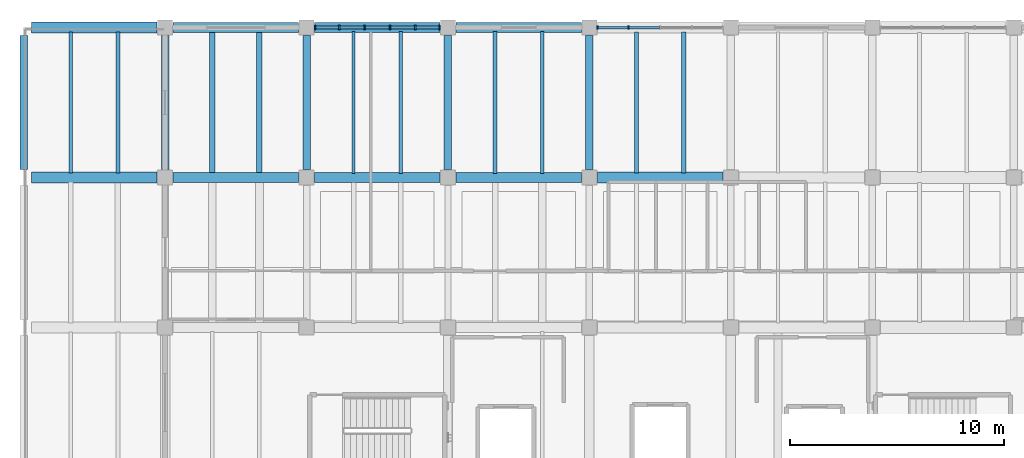
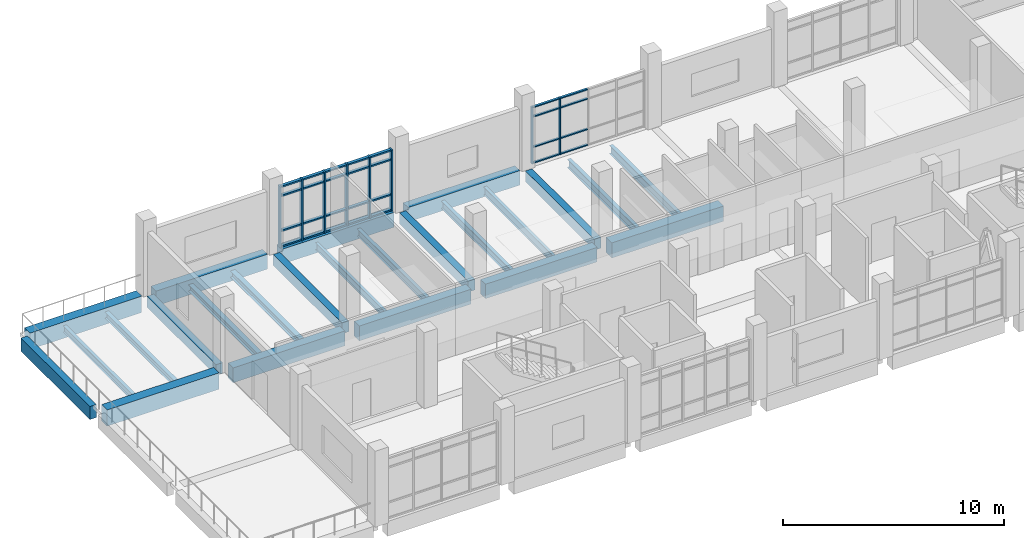
# One storey, part 6 of 20: 36 members, 24 beams, 2 elements without a shape of their own.
"""IFC4 building model written with IfcOpenShell, lengths in metres."""

from ifc_helpers import new_model, si_unit, direction, frame, origin, origin_2d, place, context, subcontext, project, spatial, rectangle, i_section, extrude, material, material_profile, profile_set, type_object, element, aggregate, save


model = new_model("IFC4")

# Units and contexts
model_context = context("Model", 3, precision=1e-05, world=origin(), true_north=direction((0.0, 1.0)))
body_context = subcontext(model_context, "Body", "Model", "MODEL_VIEW")
ifc_project = project(units=[si_unit("LENGTHUNIT", "METRE"), si_unit("AREAUNIT", "SQUARE_METRE"), si_unit("VOLUMEUNIT", "CUBIC_METRE"), si_unit("PLANEANGLEUNIT", "RADIAN"), si_unit("MASSUNIT", "GRAM", prefix="KILO")], contexts=[model_context])

# Site, building, storey
site_placement = place(None, origin())
site = spatial("IfcSite", under=ifc_project, at=site_placement, CompositionType="ELEMENT")
building_placement = place(site_placement, origin())
building = spatial("IfcBuilding", under=site, at=building_placement, Name="Ciguamira Faculty of Natural Sciences", CompositionType="ELEMENT")
storey_placement = place(building_placement, frame((0.0, 0.0, 21.0)))
storey = spatial("IfcBuildingStorey", under=building, at=storey_placement, Name="L05", CompositionType="ELEMENT", Elevation=21.0)

# Curtain wall, members
ifc_material_1 = material(Name="Anodized aluminium curtain wall", Category="aluminium")
curtain_wall_type_1 = type_object("IfcCurtainWallType", Name="CurtainWall_CW-07", PredefinedType="USERDEFINED", material=ifc_material_1)
curtain_wall_1_placement = place(storey_placement, origin())
curtain_wall_1 = element("IfcCurtainWall", 1, at=curtain_wall_1_placement, inside=storey, type_object=curtain_wall_type_1, Name="L05 unitised curtain wall 0139", ObjectType="UNITISED CURTAIN WALL", PredefinedType="USERDEFINED")
ifc_material_2 = material(Name="Anodized aluminium mullion", Category="aluminium")
ifc_material_profile_1 = material_profile(ifc_material_2, rectangle(XDim=0.06005859375, YDim=0.159912109375, at=origin_2d()), Name="ALU-MUL-60X160")
ifc_profile_set_1 = profile_set([ifc_material_profile_1], Name="Anodized aluminium mullion")
member_type_1 = type_object("IfcMemberType", Name="CWMullion_CWM-01", PredefinedType="MULLION", material=ifc_profile_set_1)
member_1_placement = place(storey_placement, frame((84.080078125, 115.0, 0.0), z_axis=(0.0, 0.0, 1.0), x_axis=(1.0, 0.0, 0.0)))
member_1 = element("IfcMember", 2, at=member_1_placement, type_object=member_type_1, Name="CW-07 mullion 1", PredefinedType="MULLION", context=body_context, shape_type="SweptSolid", body=[
    extrude(rectangle(XDim=0.06005859375, YDim=0.159912109375, at=origin_2d()), origin(), (0.0, 0.0, 1.0), 3.135009765625),
])
member_2_placement = place(storey_placement, frame((85.52490234375, 115.0, 0.0), z_axis=(0.0, 0.0, 1.0), x_axis=(1.0, 0.0, 0.0)))
member_2 = element("IfcMember", 3, at=member_2_placement, type_object=member_type_1, Name="CW-07 mullion 2", PredefinedType="MULLION", context=body_context, shape_type="SweptSolid", body=[
    extrude(rectangle(XDim=0.06005859375, YDim=0.159912109375, at=origin_2d()), origin(), (0.0, 0.0, 1.0), 3.135009765625),
])

curtain_wall_type_2 = type_object("IfcCurtainWallType", Name="CurtainWall_CW-06", PredefinedType="USERDEFINED", material=ifc_material_1)
curtain_wall_2_placement = place(storey_placement, origin())
curtain_wall_2 = element("IfcCurtainWall", 4, at=curtain_wall_2_placement, inside=storey, type_object=curtain_wall_type_2, Name="L05 unitised curtain wall 0138", ObjectType="UNITISED CURTAIN WALL", PredefinedType="USERDEFINED")
ifc_material_profile_2 = material_profile(ifc_material_2, rectangle(XDim=0.080078125, YDim=0.219970703125, at=origin_2d()), Name="ALU-MUL-80X220")
ifc_profile_set_2 = profile_set([ifc_material_profile_2], Name="Anodized aluminium mullion")
member_type_2 = type_object("IfcMemberType", Name="CWMullion_CWM-03", PredefinedType="MULLION", material=ifc_profile_set_2)
member_3_placement = place(storey_placement, frame((70.889892578125, 115.0, 0.0), z_axis=(0.0, 0.0, 1.0), x_axis=(1.0, 0.0, 0.0)))
member_3 = element("IfcMember", 5, at=member_3_placement, type_object=member_type_2, Name="CW-06 mullion 1", PredefinedType="MULLION", context=body_context, shape_type="SweptSolid", body=[
    extrude(rectangle(XDim=0.080078125, YDim=0.219970703125, at=origin_2d()), origin(), (0.0, 0.0, 1.0), 3.385009765625),
])
member_4_placement = place(storey_placement, frame((72.030029296875, 115.0, 0.0), z_axis=(0.0, 0.0, 1.0), x_axis=(1.0, 0.0, 0.0)))
member_4 = element("IfcMember", 6, at=member_4_placement, type_object=member_type_2, Name="CW-06 mullion 2", PredefinedType="MULLION", context=body_context, shape_type="SweptSolid", body=[
    extrude(rectangle(XDim=0.080078125, YDim=0.219970703125, at=origin_2d()), origin(), (0.0, 0.0, 1.0), 3.385009765625),
])
member_5_placement = place(storey_placement, frame((73.2099609375, 115.0, 0.0), z_axis=(0.0, 0.0, 1.0), x_axis=(1.0, 0.0, 0.0)))
member_5 = element("IfcMember", 7, at=member_5_placement, type_object=member_type_2, Name="CW-06 mullion 3", PredefinedType="MULLION", context=body_context, shape_type="SweptSolid", body=[
    extrude(rectangle(XDim=0.080078125, YDim=0.219970703125, at=origin_2d()), origin(), (0.0, 0.0, 1.0), 3.385009765625),
])
member_6_placement = place(storey_placement, frame((74.389892578125, 115.0, 0.0), z_axis=(0.0, 0.0, 1.0), x_axis=(1.0, 0.0, 0.0)))
member_6 = element("IfcMember", 8, at=member_6_placement, type_object=member_type_2, Name="CW-06 mullion 4", PredefinedType="MULLION", context=body_context, shape_type="SweptSolid", body=[
    extrude(rectangle(XDim=0.080078125, YDim=0.219970703125, at=origin_2d()), origin(), (0.0, 0.0, 1.0), 3.385009765625),
])
member_7_placement = place(storey_placement, frame((75.570068359375, 115.0, 0.0), z_axis=(0.0, 0.0, 1.0), x_axis=(1.0, 0.0, 0.0)))
member_7 = element("IfcMember", 9, at=member_7_placement, type_object=member_type_2, Name="CW-06 mullion 5", PredefinedType="MULLION", context=body_context, shape_type="SweptSolid", body=[
    extrude(rectangle(XDim=0.080078125, YDim=0.219970703125, at=origin_2d()), origin(), (0.0, 0.0, 1.0), 3.385009765625),
])
member_8_placement = place(storey_placement, frame((76.7099609375, 115.0, 0.0), z_axis=(0.0, 0.0, 1.0), x_axis=(1.0, 0.0, 0.0)))
member_8 = element("IfcMember", 10, at=member_8_placement, type_object=member_type_2, Name="CW-06 mullion 6", PredefinedType="MULLION", context=body_context, shape_type="SweptSolid", body=[
    extrude(rectangle(XDim=0.080078125, YDim=0.219970703125, at=origin_2d()), origin(), (0.0, 0.0, 1.0), 3.385009765625),
])

# Member
ifc_material_3 = material(Name="Anodized aluminium transom", Category="aluminium")
ifc_material_profile_3 = material_profile(ifc_material_3, rectangle(XDim=0.06005859375, YDim=0.1201171875, at=origin_2d()), Name="ALU-TRN-60X120")
ifc_profile_set_3 = profile_set([ifc_material_profile_3], Name="Anodized aluminium transom")
member_type_3 = type_object("IfcMemberType", Name="CWTransom_CWT-01", PredefinedType="USERDEFINED", material=ifc_profile_set_3)
member_9_placement = place(storey_placement, frame((84.110107421875, 115.0, 0.030029296875), z_axis=(1.0, 0.0, 0.0), x_axis=(0.0, 0.0, 1.0)))
member_9 = element("IfcMember", 11, at=member_9_placement, type_object=member_type_3, Name="CW-07 transom 1.1", ObjectType="TRANSOM", PredefinedType="USERDEFINED", context=body_context, shape_type="SweptSolid", body=[
    extrude(rectangle(XDim=0.06005859375, YDim=0.1201171875, at=origin_2d()), origin(), (0.0, 0.0, 1.0), 1.385009765625),
])

member_10_placement = place(storey_placement, frame((84.110107421875, 115.0, 0.89990234375), z_axis=(1.0, 0.0, 0.0), x_axis=(0.0, 0.0, 1.0)))
member_10 = element("IfcMember", 12, at=member_10_placement, type_object=member_type_3, Name="CW-07 transom 1.2", ObjectType="TRANSOM", PredefinedType="USERDEFINED", context=body_context, shape_type="SweptSolid", body=[
    extrude(rectangle(XDim=0.06005859375, YDim=0.1201171875, at=origin_2d()), origin(), (0.0, 0.0, 1.0), 1.385009765625),
])

member_11_placement = place(storey_placement, frame((84.110107421875, 115.0, 2.5849609375), z_axis=(1.0, 0.0, 0.0), x_axis=(0.0, 0.0, 1.0)))
member_11 = element("IfcMember", 13, at=member_11_placement, type_object=member_type_3, Name="CW-07 transom 1.3", ObjectType="TRANSOM", PredefinedType="USERDEFINED", context=body_context, shape_type="SweptSolid", body=[
    extrude(rectangle(XDim=0.06005859375, YDim=0.1201171875, at=origin_2d()), origin(), (0.0, 0.0, 1.0), 1.385009765625),
])

member_12_placement = place(storey_placement, frame((84.110107421875, 115.0, 3.10498046875), z_axis=(1.0, 0.0, 0.0), x_axis=(0.0, 0.0, 1.0)))
member_12 = element("IfcMember", 14, at=member_12_placement, type_object=member_type_3, Name="CW-07 transom 1.4", ObjectType="TRANSOM", PredefinedType="USERDEFINED", context=body_context, shape_type="SweptSolid", body=[
    extrude(rectangle(XDim=0.06005859375, YDim=0.1201171875, at=origin_2d()), origin(), (0.0, 0.0, 1.0), 1.385009765625),
])

member_13_placement = place(storey_placement, frame((85.554931640625, 115.0, 0.030029296875), z_axis=(1.0, 0.0, 0.0), x_axis=(0.0, 0.0, 1.0)))
member_13 = element("IfcMember", 15, at=member_13_placement, type_object=member_type_3, Name="CW-07 transom 2.1", ObjectType="TRANSOM", PredefinedType="USERDEFINED", context=body_context, shape_type="SweptSolid", body=[
    extrude(rectangle(XDim=0.06005859375, YDim=0.1201171875, at=origin_2d()), origin(), (0.0, 0.0, 1.0), 1.4150390625),
])

member_14_placement = place(storey_placement, frame((85.554931640625, 115.0, 0.89990234375), z_axis=(1.0, 0.0, 0.0), x_axis=(0.0, 0.0, 1.0)))
member_14 = element("IfcMember", 16, at=member_14_placement, type_object=member_type_3, Name="CW-07 transom 2.2", ObjectType="TRANSOM", PredefinedType="USERDEFINED", context=body_context, shape_type="SweptSolid", body=[
    extrude(rectangle(XDim=0.06005859375, YDim=0.1201171875, at=origin_2d()), origin(), (0.0, 0.0, 1.0), 1.4150390625),
])

member_15_placement = place(storey_placement, frame((85.554931640625, 115.0, 2.5849609375), z_axis=(1.0, 0.0, 0.0), x_axis=(0.0, 0.0, 1.0)))
member_15 = element("IfcMember", 17, at=member_15_placement, type_object=member_type_3, Name="CW-07 transom 2.3", ObjectType="TRANSOM", PredefinedType="USERDEFINED", context=body_context, shape_type="SweptSolid", body=[
    extrude(rectangle(XDim=0.06005859375, YDim=0.1201171875, at=origin_2d()), origin(), (0.0, 0.0, 1.0), 1.4150390625),
])

member_16_placement = place(storey_placement, frame((85.554931640625, 115.0, 3.10498046875), z_axis=(1.0, 0.0, 0.0), x_axis=(0.0, 0.0, 1.0)))
member_16 = element("IfcMember", 18, at=member_16_placement, type_object=member_type_3, Name="CW-07 transom 2.4", ObjectType="TRANSOM", PredefinedType="USERDEFINED", context=body_context, shape_type="SweptSolid", body=[
    extrude(rectangle(XDim=0.06005859375, YDim=0.1201171875, at=origin_2d()), origin(), (0.0, 0.0, 1.0), 1.4150390625),
])

aggregate(curtain_wall_1, [member_1, member_2, member_9, member_10, member_11, member_12, member_13, member_14, member_15, member_16])

ifc_material_profile_4 = material_profile(ifc_material_3, rectangle(XDim=0.080078125, YDim=0.159912109375, at=origin_2d()), Name="ALU-TRN-80X160")
ifc_profile_set_4 = profile_set([ifc_material_profile_4], Name="Anodized aluminium transom")
member_type_4 = type_object("IfcMemberType", Name="CWTransom_CWT-03", PredefinedType="USERDEFINED", material=ifc_profile_set_4)
member_17_placement = place(storey_placement, frame((70.929931640625, 115.0, 0.0400390625), z_axis=(1.0, 0.0, 0.0), x_axis=(0.0, 0.0, 1.0)))
member_17 = element("IfcMember", 19, at=member_17_placement, type_object=member_type_4, Name="CW-06 transom 1.1", ObjectType="TRANSOM", PredefinedType="USERDEFINED", context=body_context, shape_type="SweptSolid", body=[
    extrude(rectangle(XDim=0.080078125, YDim=0.159912109375, at=origin_2d()), origin(), (0.0, 0.0, 1.0), 1.06005859375),
])

member_18_placement = place(storey_placement, frame((70.929931640625, 115.0, 0.89990234375), z_axis=(1.0, 0.0, 0.0), x_axis=(0.0, 0.0, 1.0)))
member_18 = element("IfcMember", 20, at=member_18_placement, type_object=member_type_4, Name="CW-06 transom 1.2", ObjectType="TRANSOM", PredefinedType="USERDEFINED", context=body_context, shape_type="SweptSolid", body=[
    extrude(rectangle(XDim=0.080078125, YDim=0.159912109375, at=origin_2d()), origin(), (0.0, 0.0, 1.0), 1.06005859375),
])

member_19_placement = place(storey_placement, frame((70.929931640625, 115.0, 2.8349609375), z_axis=(1.0, 0.0, 0.0), x_axis=(0.0, 0.0, 1.0)))
member_19 = element("IfcMember", 21, at=member_19_placement, type_object=member_type_4, Name="CW-06 transom 1.3", ObjectType="TRANSOM", PredefinedType="USERDEFINED", context=body_context, shape_type="SweptSolid", body=[
    extrude(rectangle(XDim=0.080078125, YDim=0.159912109375, at=origin_2d()), origin(), (0.0, 0.0, 1.0), 1.06005859375),
])

member_20_placement = place(storey_placement, frame((70.929931640625, 115.0, 3.344970703125), z_axis=(1.0, 0.0, 0.0), x_axis=(0.0, 0.0, 1.0)))
member_20 = element("IfcMember", 22, at=member_20_placement, type_object=member_type_4, Name="CW-06 transom 1.4", ObjectType="TRANSOM", PredefinedType="USERDEFINED", context=body_context, shape_type="SweptSolid", body=[
    extrude(rectangle(XDim=0.080078125, YDim=0.159912109375, at=origin_2d()), origin(), (0.0, 0.0, 1.0), 1.06005859375),
])

member_21_placement = place(storey_placement, frame((72.070068359375, 115.0, 0.0400390625), z_axis=(1.0, 0.0, 0.0), x_axis=(0.0, 0.0, 1.0)))
member_21 = element("IfcMember", 23, at=member_21_placement, type_object=member_type_4, Name="CW-06 transom 2.1", ObjectType="TRANSOM", PredefinedType="USERDEFINED", context=body_context, shape_type="SweptSolid", body=[
    extrude(rectangle(XDim=0.080078125, YDim=0.159912109375, at=origin_2d()), origin(), (0.0, 0.0, 1.0), 1.099853515625),
])

member_22_placement = place(storey_placement, frame((72.070068359375, 115.0, 0.89990234375), z_axis=(1.0, 0.0, 0.0), x_axis=(0.0, 0.0, 1.0)))
member_22 = element("IfcMember", 24, at=member_22_placement, type_object=member_type_4, Name="CW-06 transom 2.2", ObjectType="TRANSOM", PredefinedType="USERDEFINED", context=body_context, shape_type="SweptSolid", body=[
    extrude(rectangle(XDim=0.080078125, YDim=0.159912109375, at=origin_2d()), origin(), (0.0, 0.0, 1.0), 1.099853515625),
])

member_23_placement = place(storey_placement, frame((72.070068359375, 115.0, 2.8349609375), z_axis=(1.0, 0.0, 0.0), x_axis=(0.0, 0.0, 1.0)))
member_23 = element("IfcMember", 25, at=member_23_placement, type_object=member_type_4, Name="CW-06 transom 2.3", ObjectType="TRANSOM", PredefinedType="USERDEFINED", context=body_context, shape_type="SweptSolid", body=[
    extrude(rectangle(XDim=0.080078125, YDim=0.159912109375, at=origin_2d()), origin(), (0.0, 0.0, 1.0), 1.099853515625),
])

member_24_placement = place(storey_placement, frame((72.070068359375, 115.0, 3.344970703125), z_axis=(1.0, 0.0, 0.0), x_axis=(0.0, 0.0, 1.0)))
member_24 = element("IfcMember", 26, at=member_24_placement, type_object=member_type_4, Name="CW-06 transom 2.4", ObjectType="TRANSOM", PredefinedType="USERDEFINED", context=body_context, shape_type="SweptSolid", body=[
    extrude(rectangle(XDim=0.080078125, YDim=0.159912109375, at=origin_2d()), origin(), (0.0, 0.0, 1.0), 1.099853515625),
])

member_25_placement = place(storey_placement, frame((73.25, 115.0, 0.0400390625), z_axis=(1.0, 0.0, 0.0), x_axis=(0.0, 0.0, 1.0)))
member_25 = element("IfcMember", 27, at=member_25_placement, type_object=member_type_4, Name="CW-06 transom 3.1", ObjectType="TRANSOM", PredefinedType="USERDEFINED", context=body_context, shape_type="SweptSolid", body=[
    extrude(rectangle(XDim=0.080078125, YDim=0.159912109375, at=origin_2d()), origin(), (0.0, 0.0, 1.0), 1.10009765625),
])

member_26_placement = place(storey_placement, frame((73.25, 115.0, 0.89990234375), z_axis=(1.0, 0.0, 0.0), x_axis=(0.0, 0.0, 1.0)))
member_26 = element("IfcMember", 28, at=member_26_placement, type_object=member_type_4, Name="CW-06 transom 3.2", ObjectType="TRANSOM", PredefinedType="USERDEFINED", context=body_context, shape_type="SweptSolid", body=[
    extrude(rectangle(XDim=0.080078125, YDim=0.159912109375, at=origin_2d()), origin(), (0.0, 0.0, 1.0), 1.10009765625),
])

member_27_placement = place(storey_placement, frame((73.25, 115.0, 2.8349609375), z_axis=(1.0, 0.0, 0.0), x_axis=(0.0, 0.0, 1.0)))
member_27 = element("IfcMember", 29, at=member_27_placement, type_object=member_type_4, Name="CW-06 transom 3.3", ObjectType="TRANSOM", PredefinedType="USERDEFINED", context=body_context, shape_type="SweptSolid", body=[
    extrude(rectangle(XDim=0.080078125, YDim=0.159912109375, at=origin_2d()), origin(), (0.0, 0.0, 1.0), 1.10009765625),
])

member_28_placement = place(storey_placement, frame((73.25, 115.0, 3.344970703125), z_axis=(1.0, 0.0, 0.0), x_axis=(0.0, 0.0, 1.0)))
member_28 = element("IfcMember", 30, at=member_28_placement, type_object=member_type_4, Name="CW-06 transom 3.4", ObjectType="TRANSOM", PredefinedType="USERDEFINED", context=body_context, shape_type="SweptSolid", body=[
    extrude(rectangle(XDim=0.080078125, YDim=0.159912109375, at=origin_2d()), origin(), (0.0, 0.0, 1.0), 1.10009765625),
])

member_29_placement = place(storey_placement, frame((74.429931640625, 115.0, 0.0400390625), z_axis=(1.0, 0.0, 0.0), x_axis=(0.0, 0.0, 1.0)))
member_29 = element("IfcMember", 31, at=member_29_placement, type_object=member_type_4, Name="CW-06 transom 4.1", ObjectType="TRANSOM", PredefinedType="USERDEFINED", context=body_context, shape_type="SweptSolid", body=[
    extrude(rectangle(XDim=0.080078125, YDim=0.159912109375, at=origin_2d()), origin(), (0.0, 0.0, 1.0), 1.10009765625),
])

member_30_placement = place(storey_placement, frame((74.429931640625, 115.0, 0.89990234375), z_axis=(1.0, 0.0, 0.0), x_axis=(0.0, 0.0, 1.0)))
member_30 = element("IfcMember", 32, at=member_30_placement, type_object=member_type_4, Name="CW-06 transom 4.2", ObjectType="TRANSOM", PredefinedType="USERDEFINED", context=body_context, shape_type="SweptSolid", body=[
    extrude(rectangle(XDim=0.080078125, YDim=0.159912109375, at=origin_2d()), origin(), (0.0, 0.0, 1.0), 1.10009765625),
])

member_31_placement = place(storey_placement, frame((74.429931640625, 115.0, 2.8349609375), z_axis=(1.0, 0.0, 0.0), x_axis=(0.0, 0.0, 1.0)))
member_31 = element("IfcMember", 33, at=member_31_placement, type_object=member_type_4, Name="CW-06 transom 4.3", ObjectType="TRANSOM", PredefinedType="USERDEFINED", context=body_context, shape_type="SweptSolid", body=[
    extrude(rectangle(XDim=0.080078125, YDim=0.159912109375, at=origin_2d()), origin(), (0.0, 0.0, 1.0), 1.10009765625),
])

member_32_placement = place(storey_placement, frame((74.429931640625, 115.0, 3.344970703125), z_axis=(1.0, 0.0, 0.0), x_axis=(0.0, 0.0, 1.0)))
member_32 = element("IfcMember", 34, at=member_32_placement, type_object=member_type_4, Name="CW-06 transom 4.4", ObjectType="TRANSOM", PredefinedType="USERDEFINED", context=body_context, shape_type="SweptSolid", body=[
    extrude(rectangle(XDim=0.080078125, YDim=0.159912109375, at=origin_2d()), origin(), (0.0, 0.0, 1.0), 1.10009765625),
])

member_33_placement = place(storey_placement, frame((75.610107421875, 115.0, 0.0400390625), z_axis=(1.0, 0.0, 0.0), x_axis=(0.0, 0.0, 1.0)))
member_33 = element("IfcMember", 35, at=member_33_placement, type_object=member_type_4, Name="CW-06 transom 5.1", ObjectType="TRANSOM", PredefinedType="USERDEFINED", context=body_context, shape_type="SweptSolid", body=[
    extrude(rectangle(XDim=0.080078125, YDim=0.159912109375, at=origin_2d()), origin(), (0.0, 0.0, 1.0), 1.059814453125),
])

member_34_placement = place(storey_placement, frame((75.610107421875, 115.0, 0.89990234375), z_axis=(1.0, 0.0, 0.0), x_axis=(0.0, 0.0, 1.0)))
member_34 = element("IfcMember", 36, at=member_34_placement, type_object=member_type_4, Name="CW-06 transom 5.2", ObjectType="TRANSOM", PredefinedType="USERDEFINED", context=body_context, shape_type="SweptSolid", body=[
    extrude(rectangle(XDim=0.080078125, YDim=0.159912109375, at=origin_2d()), origin(), (0.0, 0.0, 1.0), 1.059814453125),
])

member_35_placement = place(storey_placement, frame((75.610107421875, 115.0, 2.8349609375), z_axis=(1.0, 0.0, 0.0), x_axis=(0.0, 0.0, 1.0)))
member_35 = element("IfcMember", 37, at=member_35_placement, type_object=member_type_4, Name="CW-06 transom 5.3", ObjectType="TRANSOM", PredefinedType="USERDEFINED", context=body_context, shape_type="SweptSolid", body=[
    extrude(rectangle(XDim=0.080078125, YDim=0.159912109375, at=origin_2d()), origin(), (0.0, 0.0, 1.0), 1.059814453125),
])

member_36_placement = place(storey_placement, frame((75.610107421875, 115.0, 3.344970703125), z_axis=(1.0, 0.0, 0.0), x_axis=(0.0, 0.0, 1.0)))
member_36 = element("IfcMember", 38, at=member_36_placement, type_object=member_type_4, Name="CW-06 transom 5.4", ObjectType="TRANSOM", PredefinedType="USERDEFINED", context=body_context, shape_type="SweptSolid", body=[
    extrude(rectangle(XDim=0.080078125, YDim=0.159912109375, at=origin_2d()), origin(), (0.0, 0.0, 1.0), 1.059814453125),
])

aggregate(curtain_wall_2, [member_3, member_4, member_5, member_6, member_7, member_8, member_17, member_18, member_19, member_20, member_21, member_22, member_23, member_24, member_25, member_26, member_27, member_28, member_29, member_30, member_31, member_32, member_33, member_34, member_35, member_36])

# Beams
ifc_material_4 = material(Name="Concrete C40/50", Category="concrete")
ifc_material_profile_5 = material_profile(ifc_material_4, rectangle(XDim=0.5, YDim=0.89990234375, at=origin_2d()), Name="RC-BM-500X900")
ifc_profile_set_5 = profile_set([ifc_material_profile_5], Name="Concrete C40/50")
beam_type_1 = type_object("IfcBeamType", Name="RCBeam_BG-03_RC-BM-500X900", PredefinedType="BEAM", material=ifc_profile_set_5)
for number, where, z_axis, x_axis, name in (
    (39, (57.675048828125, 108.0, -0.449951171875), (1.0, 0.0, 0.0), (0.0, 1.0, 0.0), "L05 RC girder EW-1457"),
    (40, (57.675048828125, 115.0, -0.449951171875), (1.0, 0.0, 0.0), (0.0, 1.0, 0.0), "L05 RC girder EW-1465"),
):
    element("IfcBeam", number, at=place(storey_placement, frame(where, z_axis=z_axis, x_axis=x_axis)), inside=storey, type_object=beam_type_1, Name=name, PredefinedType="BEAM", context=body_context, shape_type="SweptSolid", body=[
        extrude(rectangle(XDim=0.5, YDim=0.89990234375, at=origin_2d()), origin(), (0.0, 0.0, 1.0), 5.849853515625),
    ])
ifc_material_profile_6 = material_profile(ifc_material_4, rectangle(XDim=0.4599609375, YDim=0.820068359375, at=origin_2d()), Name="RC-BM-460X820")
ifc_profile_set_6 = profile_set([ifc_material_profile_6], Name="Concrete C40/50")
beam_type_2 = type_object("IfcBeamType", Name="RCBeam_BG-04_RC-BM-460X820", PredefinedType="BEAM", material=ifc_profile_set_6)
for number, where, z_axis, x_axis, name in (
    (41, (64.27490234375, 108.0, -0.409912109375), (1.0, 0.0, 0.0), (0.0, 1.0, 0.0), "L05 RC girder EW-1458"),
    (42, (70.875, 108.0, -0.409912109375), (1.0, 0.0, 0.0), (0.0, 1.0, 0.0), "L05 RC girder EW-1459"),
    (43, (64.27490234375, 115.0, -0.409912109375), (1.0, 0.0, 0.0), (0.0, 1.0, 0.0), "L05 RC girder EW-1466"),
    (44, (70.875, 115.0, -0.409912109375), (1.0, 0.0, 0.0), (0.0, 1.0, 0.0), "L05 RC girder EW-1467"),
):
    element("IfcBeam", number, at=place(storey_placement, frame(where, z_axis=z_axis, x_axis=x_axis)), inside=storey, type_object=beam_type_2, Name=name, PredefinedType="BEAM", context=body_context, shape_type="SweptSolid", body=[
        extrude(rectangle(XDim=0.4599609375, YDim=0.820068359375, at=origin_2d()), origin(), (0.0, 0.0, 1.0), 5.85009765625),
    ])
ifc_material_profile_7 = material_profile(ifc_material_4, rectangle(XDim=0.449951171875, YDim=0.800048828125, at=origin_2d()), Name="RC-BM-450X800")
ifc_profile_set_7 = profile_set([ifc_material_profile_7], Name="Concrete C40/50")
beam_type_3 = type_object("IfcBeamType", Name="RCBeam_BG-05_RC-BM-450X800", PredefinedType="BEAM", material=ifc_profile_set_7)
for number, where, z_axis, x_axis, name in (
    (45, (77.47509765625, 108.0, -0.39990234375), (1.0, 0.0, 0.0), (0.0, 1.0, 0.0), "L05 RC girder EW-1460"),
    (46, (77.47509765625, 115.0, -0.39990234375), (1.0, 0.0, 0.0), (0.0, 1.0, 0.0), "L05 RC girder EW-1468"),
):
    element("IfcBeam", number, at=place(storey_placement, frame(where, z_axis=z_axis, x_axis=x_axis)), inside=storey, type_object=beam_type_3, Name=name, PredefinedType="BEAM", context=body_context, shape_type="SweptSolid", body=[
        extrude(rectangle(XDim=0.449951171875, YDim=0.800048828125, at=origin_2d()), origin(), (0.0, 0.0, 1.0), 5.849853515625),
    ])
ifc_material_profile_8 = material_profile(ifc_material_4, rectangle(XDim=0.35009765625, YDim=0.60009765625, at=origin_2d()), Name="RC-BM-350X600")
ifc_profile_set_8 = profile_set([ifc_material_profile_8], Name="Concrete C40/50")
beam_type_4 = type_object("IfcBeamType", Name="RCBeam_BG-11_RC-BM-350X600", PredefinedType="BEAM", material=ifc_profile_set_8)
for number, where, z_axis, x_axis, name in (
    (47, (63.89990234375, 108.375, -0.300048828125), (0.0, 1.0, 0.0), (-1.0, 0.0, 0.0), "L05 girder NS-1478"),
    (48, (70.5, 108.375, -0.300048828125), (0.0, 1.0, 0.0), (-1.0, 0.0, 0.0), "L05 girder NS-1480"),
    (49, (77.10009765625, 108.375, -0.300048828125), (0.0, 1.0, 0.0), (-1.0, 0.0, 0.0), "L05 girder NS-1482"),
    (50, (83.699951171875, 108.375, -0.300048828125), (0.0, 1.0, 0.0), (-1.0, 0.0, 0.0), "L05 girder NS-1485"),
):
    element("IfcBeam", number, at=place(storey_placement, frame(where, z_axis=z_axis, x_axis=x_axis)), inside=storey, type_object=beam_type_4, Name=name, PredefinedType="BEAM", context=body_context, shape_type="SweptSolid", body=[
        extrude(rectangle(XDim=0.35009765625, YDim=0.60009765625, at=origin_2d()), origin(), (0.0, 0.0, 1.0), 6.25),
    ])
ifc_material_5 = material(Name="Precast concrete C40/50", Category="concrete")
ifc_material_profile_9 = material_profile(ifc_material_5, rectangle(XDim=0.340087890625, YDim=0.719970703125, at=origin_2d()), Name="RC-SP-340X720")
ifc_profile_set_9 = profile_set([ifc_material_profile_9], Name="Precast concrete C40/50")
beam_type_5 = type_object("IfcBeamType", Name="RCBeam_SP-03_RC-SP-340X720", PredefinedType="SPANDREL", material=ifc_profile_set_9)
beam_1_placement = place(storey_placement, frame((57.300048828125, 108.375, -0.360107421875), z_axis=(0.0, 1.0, 0.0), x_axis=(-1.0, 0.0, 0.0)))
element("IfcBeam", 51, at=beam_1_placement, inside=storey, type_object=beam_type_5, Name="L05 girder NS-1475", PredefinedType="SPANDREL", context=body_context, shape_type="SweptSolid", body=[
    extrude(rectangle(XDim=0.340087890625, YDim=0.719970703125, at=origin_2d()), origin(), (0.0, 0.0, 1.0), 6.25),
])
ifc_material_profile_10 = material_profile(ifc_material_4, rectangle(XDim=0.52001953125, YDim=0.840087890625, at=origin_2d()), Name="RC-TB-520X840")
ifc_profile_set_10 = profile_set([ifc_material_profile_10], Name="Concrete C40/50")
beam_type_6 = type_object("IfcBeamType", Name="RCBeam_TB-02_RC-TB-520X840", PredefinedType="T_BEAM", material=ifc_profile_set_10)
beam_2_placement = place(storey_placement, frame((84.074951171875, 108.0, -0.419921875), z_axis=(1.0, 0.0, 0.0), x_axis=(0.0, 1.0, 0.0)))
element("IfcBeam", 52, at=beam_2_placement, inside=storey, type_object=beam_type_6, Name="L05 RC girder EW-1461", PredefinedType="T_BEAM", context=body_context, shape_type="SweptSolid", body=[
    extrude(rectangle(XDim=0.52001953125, YDim=0.840087890625, at=origin_2d()), origin(), (0.0, 0.0, 1.0), 5.85009765625),
])
ifc_material_6 = material(Name="Steel ASTM A992 Grade 50", Category="steel")
ifc_material_profile_11 = material_profile(ifc_material_6, i_section(OverallWidth=0.1708984375, OverallDepth=0.3505859375, WebThickness=0.0068359375, FlangeThickness=0.009765625, at=origin_2d()), Name="W14X30")
ifc_profile_set_11 = profile_set([ifc_material_profile_11], Name="Steel ASTM A992 Grade 50")
beam_type_7 = type_object("IfcBeamType", Name="SteelJoist_SJ-11_W14X30", PredefinedType="JOIST", material=ifc_profile_set_11)
beam_3_placement = place(storey_placement, frame((59.5, 108.2099609375, -0.375244140625), z_axis=(0.0, 1.0, 0.0), x_axis=(-1.0, 0.0, 0.0)))
element("IfcBeam", 53, at=beam_3_placement, inside=storey, type_object=beam_type_7, Name="L05 composite steel joist 01346", PredefinedType="JOIST", context=body_context, shape_type="SweptSolid", body=[
    extrude(i_section(OverallWidth=0.1708984375, OverallDepth=0.3505859375, WebThickness=0.0068359375, FlangeThickness=0.009765625, at=origin_2d()), origin(), (0.0, 0.0, 1.0), 6.580078125),
])
ifc_material_profile_12 = material_profile(ifc_material_6, i_section(OverallWidth=0.203125, OverallDepth=0.347900390625, WebThickness=0.0078125, FlangeThickness=0.013427734375, at=origin_2d()), Name="W14X43")
ifc_profile_set_12 = profile_set([ifc_material_profile_12], Name="Steel ASTM A992 Grade 50")
beam_type_8 = type_object("IfcBeamType", Name="SteelJoist_SJ-12_W14X43", PredefinedType="JOIST", material=ifc_profile_set_12)
beam_4_placement = place(storey_placement, frame((61.699951171875, 108.2099609375, -0.3740234375), z_axis=(0.0, 1.0, 0.0), x_axis=(-1.0, 0.0, 0.0)))
element("IfcBeam", 54, at=beam_4_placement, inside=storey, type_object=beam_type_8, Name="L05 composite steel joist 01347", PredefinedType="JOIST", context=body_context, shape_type="SweptSolid", body=[
    extrude(i_section(OverallWidth=0.203125, OverallDepth=0.347900390625, WebThickness=0.0078125, FlangeThickness=0.013427734375, at=origin_2d()), origin(), (0.0, 0.0, 1.0), 6.580078125),
])
ifc_material_profile_13 = material_profile(ifc_material_6, i_section(OverallWidth=0.25390625, OverallDepth=0.355712890625, WebThickness=0.010498046875, FlangeThickness=0.018310546875, at=origin_2d()), Name="W14X68")
ifc_profile_set_13 = profile_set([ifc_material_profile_13], Name="Steel ASTM A992 Grade 50")
beam_type_9 = type_object("IfcBeamType", Name="SteelJoist_SJ-14_W14X68", PredefinedType="JOIST", material=ifc_profile_set_13)
beam_5_placement = place(storey_placement, frame((66.10009765625, 108.18994140625, -0.417724609375), z_axis=(0.0, 1.0, 0.0), x_axis=(-1.0, 0.0, 0.0)))
element("IfcBeam", 55, at=beam_5_placement, inside=storey, type_object=beam_type_9, Name="L05 composite steel joist 01352", PredefinedType="JOIST", context=body_context, shape_type="SweptSolid", body=[
    extrude(i_section(OverallWidth=0.25390625, OverallDepth=0.355712890625, WebThickness=0.010498046875, FlangeThickness=0.018310546875, at=origin_2d()), origin(), (0.0, 0.0, 1.0), 6.6201171875),
])
ifc_material_profile_14 = material_profile(ifc_material_6, i_section(OverallWidth=0.256591796875, OverallDepth=0.36328125, WebThickness=0.012939453125, FlangeThickness=0.021728515625, at=origin_2d()), Name="W14X82")
ifc_profile_set_14 = profile_set([ifc_material_profile_14], Name="Steel ASTM A992 Grade 50")
beam_type_10 = type_object("IfcBeamType", Name="SteelJoist_SJ-15_W14X82", PredefinedType="JOIST", material=ifc_profile_set_14)
beam_6_placement = place(storey_placement, frame((68.300048828125, 108.18994140625, -0.421630859375), z_axis=(0.0, 1.0, 0.0), x_axis=(-1.0, 0.0, 0.0)))
element("IfcBeam", 56, at=beam_6_placement, inside=storey, type_object=beam_type_10, Name="L05 composite steel joist 01353", PredefinedType="JOIST", context=body_context, shape_type="SweptSolid", body=[
    extrude(i_section(OverallWidth=0.256591796875, OverallDepth=0.36328125, WebThickness=0.012939453125, FlangeThickness=0.021728515625, at=origin_2d()), origin(), (0.0, 0.0, 1.0), 6.6201171875),
])
ifc_material_profile_15 = material_profile(ifc_material_6, i_section(OverallWidth=0.140380859375, OverallDepth=0.40380859375, WebThickness=0.007080078125, FlangeThickness=0.01123046875, at=origin_2d()), Name="W16X31")
ifc_profile_set_15 = profile_set([ifc_material_profile_15], Name="Steel ASTM A992 Grade 50")
beam_type_11 = type_object("IfcBeamType", Name="SteelJoist_SJ-17_W16X31", PredefinedType="JOIST", material=ifc_profile_set_15)
beam_7_placement = place(storey_placement, frame((72.699951171875, 108.18994140625, -0.44189453125), z_axis=(0.0, 1.0, 0.0), x_axis=(-1.0, 0.0, 0.0)))
element("IfcBeam", 57, at=beam_7_placement, inside=storey, type_object=beam_type_11, Name="L05 composite steel joist 01356", PredefinedType="JOIST", context=body_context, shape_type="SweptSolid", body=[
    extrude(i_section(OverallWidth=0.140380859375, OverallDepth=0.40380859375, WebThickness=0.007080078125, FlangeThickness=0.01123046875, at=origin_2d()), origin(), (0.0, 0.0, 1.0), 6.6201171875),
])
ifc_material_profile_16 = material_profile(ifc_material_6, i_section(OverallWidth=0.177490234375, OverallDepth=0.40380859375, WebThickness=0.007568359375, FlangeThickness=0.010986328125, at=origin_2d()), Name="W16X36")
ifc_profile_set_16 = profile_set([ifc_material_profile_16], Name="Steel ASTM A992 Grade 50")
beam_type_12 = type_object("IfcBeamType", Name="SteelJoist_SJ-18_W16X36", PredefinedType="JOIST", material=ifc_profile_set_16)
beam_8_placement = place(storey_placement, frame((74.89990234375, 108.18994140625, -0.44189453125), z_axis=(0.0, 1.0, 0.0), x_axis=(-1.0, 0.0, 0.0)))
element("IfcBeam", 58, at=beam_8_placement, inside=storey, type_object=beam_type_12, Name="L05 composite steel joist 01357", PredefinedType="JOIST", context=body_context, shape_type="SweptSolid", body=[
    extrude(i_section(OverallWidth=0.177490234375, OverallDepth=0.40380859375, WebThickness=0.007568359375, FlangeThickness=0.010986328125, at=origin_2d()), origin(), (0.0, 0.0, 1.0), 6.6201171875),
])
ifc_material_profile_17 = material_profile(ifc_material_6, i_section(OverallWidth=0.180908203125, OverallDepth=0.41650390625, WebThickness=0.010986328125, FlangeThickness=0.01806640625, at=origin_2d()), Name="W16X57")
ifc_profile_set_17 = profile_set([ifc_material_profile_17], Name="Steel ASTM A992 Grade 50")
beam_type_13 = type_object("IfcBeamType", Name="SteelJoist_SJ-20_W16X57", PredefinedType="JOIST", material=ifc_profile_set_17)
beam_9_placement = place(storey_placement, frame((79.300048828125, 108.18505859375, -0.4482421875), z_axis=(0.0, 1.0, 0.0), x_axis=(-1.0, 0.0, 0.0)))
element("IfcBeam", 59, at=beam_9_placement, inside=storey, type_object=beam_type_13, Name="L05 composite steel joist 01361", PredefinedType="JOIST", context=body_context, shape_type="SweptSolid", body=[
    extrude(i_section(OverallWidth=0.180908203125, OverallDepth=0.41650390625, WebThickness=0.010986328125, FlangeThickness=0.01806640625, at=origin_2d()), origin(), (0.0, 0.0, 1.0), 6.6298828125),
])
ifc_material_profile_18 = material_profile(ifc_material_6, i_section(OverallWidth=0.15234375, OverallDepth=0.449462890625, WebThickness=0.007568359375, FlangeThickness=0.0107421875, at=origin_2d()), Name="W18X35")
ifc_profile_set_18 = profile_set([ifc_material_profile_18], Name="Steel ASTM A992 Grade 50")
beam_type_14 = type_object("IfcBeamType", Name="SteelJoist_SJ-21_W18X35", PredefinedType="JOIST", material=ifc_profile_set_18)
beam_10_placement = place(storey_placement, frame((81.5, 108.18505859375, -0.46484375), z_axis=(0.0, 1.0, 0.0), x_axis=(-1.0, 0.0, 0.0)))
element("IfcBeam", 60, at=beam_10_placement, inside=storey, type_object=beam_type_14, Name="L05 composite steel joist 01362", PredefinedType="JOIST", context=body_context, shape_type="SweptSolid", body=[
    extrude(i_section(OverallWidth=0.15234375, OverallDepth=0.449462890625, WebThickness=0.007568359375, FlangeThickness=0.0107421875, at=origin_2d()), origin(), (0.0, 0.0, 1.0), 6.6298828125),
])
ifc_material_profile_19 = material_profile(ifc_material_6, i_section(OverallWidth=0.1904296875, OverallDepth=0.457275390625, WebThickness=0.009033203125, FlangeThickness=0.014404296875, at=origin_2d()), Name="W18X50")
ifc_profile_set_19 = profile_set([ifc_material_profile_19], Name="Steel ASTM A992 Grade 50")
beam_type_15 = type_object("IfcBeamType", Name="SteelJoist_SJ-23_W18X50", PredefinedType="JOIST", material=ifc_profile_set_19)
beam_11_placement = place(storey_placement, frame((85.89990234375, 108.219970703125, -0.468505859375), z_axis=(0.0, 1.0, 0.0), x_axis=(-1.0, 0.0, 0.0)))
element("IfcBeam", 61, at=beam_11_placement, inside=storey, type_object=beam_type_15, Name="L05 composite steel joist 01365", PredefinedType="JOIST", context=body_context, shape_type="SweptSolid", body=[
    extrude(i_section(OverallWidth=0.1904296875, OverallDepth=0.457275390625, WebThickness=0.009033203125, FlangeThickness=0.014404296875, at=origin_2d()), origin(), (0.0, 0.0, 1.0), 6.56005859375),
])
ifc_material_profile_20 = material_profile(ifc_material_6, i_section(OverallWidth=0.19287109375, OverallDepth=0.46728515625, WebThickness=0.011474609375, FlangeThickness=0.01904296875, at=origin_2d()), Name="W18X65")
ifc_profile_set_20 = profile_set([ifc_material_profile_20], Name="Steel ASTM A992 Grade 50")
beam_type_16 = type_object("IfcBeamType", Name="SteelJoist_SJ-24_W18X65", PredefinedType="JOIST", material=ifc_profile_set_20)
beam_12_placement = place(storey_placement, frame((88.10009765625, 108.219970703125, -0.4736328125), z_axis=(0.0, 1.0, 0.0), x_axis=(-1.0, 0.0, 0.0)))
element("IfcBeam", 62, at=beam_12_placement, inside=storey, type_object=beam_type_16, Name="L05 composite steel joist 01366", PredefinedType="JOIST", context=body_context, shape_type="SweptSolid", body=[
    extrude(i_section(OverallWidth=0.19287109375, OverallDepth=0.46728515625, WebThickness=0.011474609375, FlangeThickness=0.01904296875, at=origin_2d()), origin(), (0.0, 0.0, 1.0), 6.56005859375),
])

save(model, "model.ifc")
